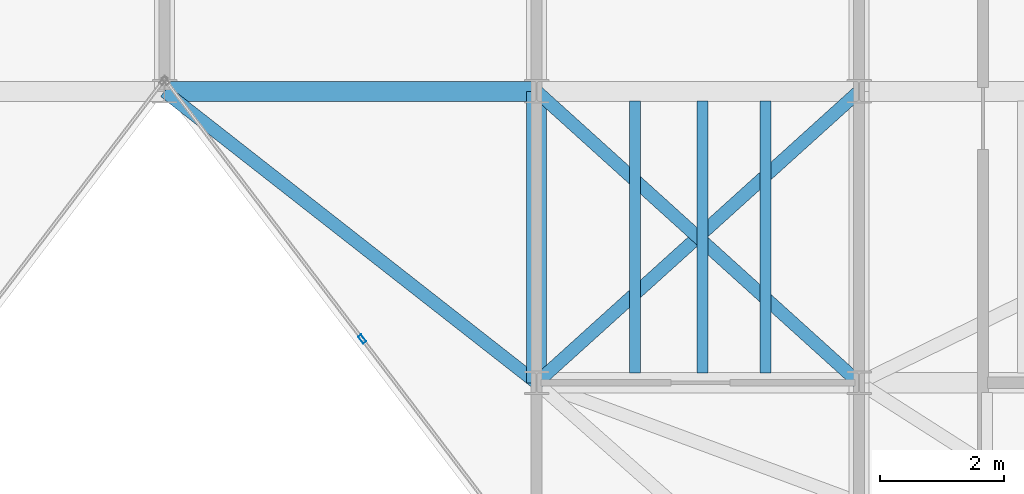
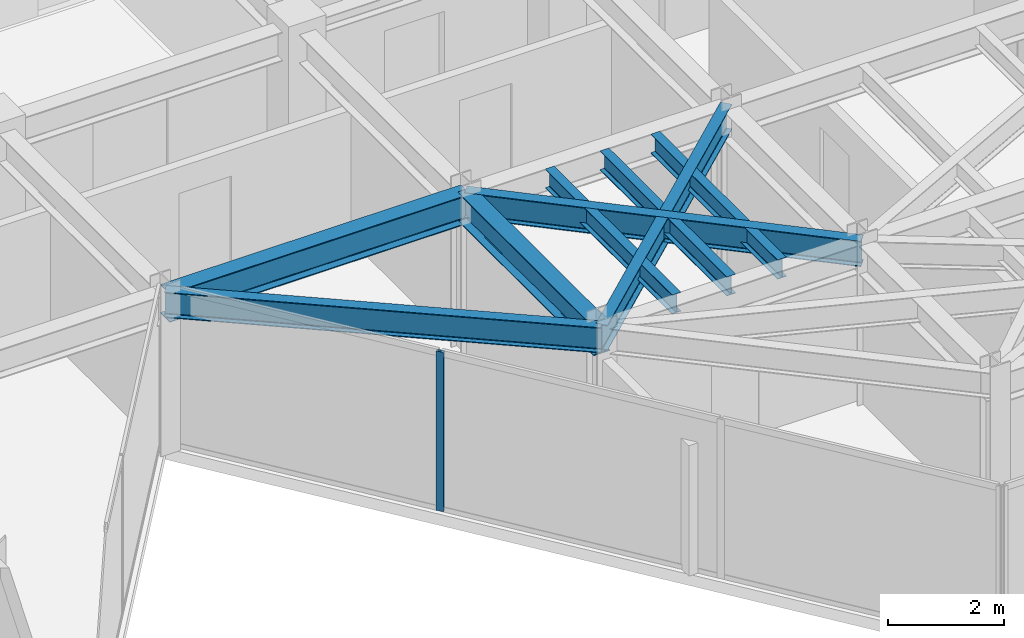
# One storey, part 8 of 17: 8 beams, 1 member, 1 element without a shape of its own.
"""IFC4 building model written with IfcOpenShell, lengths in metres."""

from ifc_helpers import new_model, si_unit, direction, frame, origin, origin_2d, place, context, subcontext, project, spatial, hollow_rectangle, i_section, extrude, material, layer, layer_set, material_profile, profile_set, type_object, element, aggregate, save


model = new_model("IFC4")

# Units and contexts
model_context = context("Model", 3, precision=1e-05, world=origin(), true_north=direction((0.0, 1.0)))
body_context = subcontext(model_context, "Body", "Model", "MODEL_VIEW")
ifc_project = project(units=[si_unit("LENGTHUNIT", "METRE"), si_unit("AREAUNIT", "SQUARE_METRE"), si_unit("VOLUMEUNIT", "CUBIC_METRE"), si_unit("PLANEANGLEUNIT", "RADIAN"), si_unit("MASSUNIT", "GRAM", prefix="KILO")], contexts=[model_context])

# Site, building, storey
site_placement = place(None, origin())
site = spatial("IfcSite", under=ifc_project, at=site_placement, CompositionType="ELEMENT")
building_placement = place(site_placement, origin())
building = spatial("IfcBuilding", under=site, at=building_placement, Name="Kravanh Interchange Tower", CompositionType="ELEMENT")
storey_placement = place(building_placement, frame((0.0, 0.0, 285.89990234375)))
storey = spatial("IfcBuildingStorey", under=building, at=storey_placement, Name="L70", CompositionType="ELEMENT", Elevation=285.89990234375)

# Curtain wall, member
ifc_material_1 = material(Name="Anodised Bronze Aluminium", Category="aluminium")
ifc_layer = layer(ifc_material_1, 0.179931640625)
ifc_layer_set = layer_set([ifc_layer], Name="Unitised Curtain Wall System CW-HTL Luxury Hotel")
curtain_wall_type = type_object("IfcCurtainWallType", Name="Unitised Curtain Wall System CW-HTL Luxury Hotel", PredefinedType="NOTDEFINED", material=ifc_layer_set)
curtain_wall_placement = place(storey_placement, origin())
curtain_wall = element("IfcCurtainWall", 1, at=curtain_wall_placement, inside=storey, type_object=curtain_wall_type, Name="L70 Unitised Curtain Wall CW-L70-04", PredefinedType="NOTDEFINED")
ifc_material_2 = material(Name="Anodised Bronze Aluminium", Category="aluminium")
ifc_material_profile_1 = material_profile(ifc_material_2, hollow_rectangle(XDim=0.06005859375, YDim=0.139892578125, WallThickness=0.00390625, at=origin_2d()), Name="ALU60X140X4")
ifc_profile_set_1 = profile_set([ifc_material_profile_1], Name="Anodised Bronze Aluminium")
member_type = type_object("IfcMemberType", Name="Curtain Wall Mullion ALU60X140X4 Bronze", PredefinedType="MULLION", material=ifc_profile_set_1)
member_placement = place(storey_placement, frame((47.986572265625, 27.505615234375, 0.0), z_axis=(0.0, 0.0, 1.0), x_axis=(-0.79616243806, -0.605082946564, 0.0)))
member = element("IfcMember", 2, at=member_placement, type_object=member_type, Name="CW-HTL mullion 3", PredefinedType="MULLION", context=body_context, shape_type="SweptSolid", body=[
    extrude(hollow_rectangle(XDim=0.06005859375, YDim=0.139892578125, WallThickness=0.00390625, at=origin_2d()), origin(), (0.0, 0.0, 1.0), 3.364990234375),
])
aggregate(curtain_wall, [member])

# Beams
ifc_material_3 = material(Name="Structural Steel S355", Category="steel")
ifc_material_profile_2 = material_profile(ifc_material_3, i_section(OverallWidth=0.323974609375, OverallDepth=0.611083984375, WebThickness=0.0126953125, FlangeThickness=0.01904296875, FilletRadius=0.02197265625, at=origin_2d()), Name="W24X104")
ifc_profile_set_2 = profile_set([ifc_material_profile_2], Name="Structural Steel S355")
beam_type_1 = type_object("IfcBeamType", Name="Floor Beam W24X104 Structural Steel S355", PredefinedType="BEAM", material=ifc_profile_set_2)
beam_1_placement = place(storey_placement, frame((44.800048828125, 31.5, 3.0595703125), z_axis=(1.0, 0.0, 0.0), x_axis=(0.0, 1.0, 0.0)))
element("IfcBeam", 3, at=beam_1_placement, inside=storey, type_object=beam_type_1, Name="L70 Primary Floor Girder 2", PredefinedType="BEAM", context=body_context, shape_type="SweptSolid", body=[
    extrude(i_section(OverallWidth=0.323974609375, OverallDepth=0.611083984375, WebThickness=0.0126953125, FlangeThickness=0.01904296875, FilletRadius=0.02197265625, at=origin_2d()), origin(), (0.0, 0.0, 1.0), 6.0),
])
beam_2_placement = place(storey_placement, frame((50.800048828125, 31.5, 3.0595703125), z_axis=(0.0, -1.0, 0.0), x_axis=(1.0, 0.0, 0.0)))
element("IfcBeam", 4, at=beam_2_placement, inside=storey, type_object=beam_type_1, Name="L70 Primary Floor Girder 5", PredefinedType="BEAM", context=body_context, shape_type="SweptSolid", body=[
    extrude(i_section(OverallWidth=0.323974609375, OverallDepth=0.611083984375, WebThickness=0.0126953125, FlangeThickness=0.01904296875, FilletRadius=0.02197265625, at=origin_2d()), origin(), (0.0, 0.0, 1.0), 4.699951171875),
])
ifc_material_4 = material(Name="Structural Steel S355", Category="steel")
ifc_material_profile_3 = material_profile(ifc_material_4, i_section(OverallWidth=0.177978515625, OverallDepth=0.406005859375, WebThickness=0.0078125, FlangeThickness=0.0126953125, FilletRadius=0.01611328125, at=origin_2d()), Name="W16X40")
ifc_profile_set_3 = profile_set([ifc_material_profile_3], Name="Structural Steel S355")
beam_type_2 = type_object("IfcBeamType", Name="Floor Joist W16X40 Structural Steel S355", PredefinedType="JOIST", material=ifc_profile_set_3)
for number, where, z_axis, x_axis, name in (
    (5, (52.385986328125, 26.95703125, 3.162109375), (0.0, 1.0, 0.0), (-1.0, 0.0, 0.0), "L70 Secondary Floor Joist 7"),
    (6, (53.47802734375, 26.95703125, 3.162109375), (0.0, 1.0, 0.0), (-1.0, 0.0, 0.0), "L70 Secondary Floor Joist 8"),
    (7, (54.491943359375, 26.95703125, 3.162109375), (0.0, 1.0, 0.0), (-1.0, 0.0, 0.0), "L70 Secondary Floor Joist 9"),
):
    element("IfcBeam", number, at=place(storey_placement, frame(where, z_axis=z_axis, x_axis=x_axis)), inside=storey, type_object=beam_type_2, Name=name, PredefinedType="JOIST", context=body_context, shape_type="SweptSolid", body=[
        extrude(i_section(OverallWidth=0.177978515625, OverallDepth=0.406005859375, WebThickness=0.0078125, FlangeThickness=0.0126953125, FilletRadius=0.01611328125, at=origin_2d()), origin(), (0.0, 0.0, 1.0), 4.385986328125),
    ])
ifc_material_5 = material(Name="Structural Steel S355", Category="steel")
ifc_material_profile_4 = material_profile(ifc_material_5, i_section(OverallWidth=0.2099609375, OverallDepth=0.537109375, WebThickness=0.010986328125, FlangeThickness=0.017333984375, FilletRadius=0.02001953125, at=origin_2d()), Name="W21X68")
ifc_profile_set_4 = profile_set([ifc_material_profile_4], Name="Structural Steel S355")
beam_type_3 = type_object("IfcBeamType", Name="Floor Spandrel W21X68 Structural Steel S355", PredefinedType="SPANDREL", material=ifc_profile_set_4)
beam_3_placement = place(storey_placement, frame((44.800048828125, 31.5, 3.0966796875), z_axis=(0.787231163579, -0.616658004967, 0.0), x_axis=(0.616658004967, 0.787231163579, 0.0)))
element("IfcBeam", 8, at=beam_3_placement, inside=storey, type_object=beam_type_3, Name="L70 Perimeter Spandrel 4", PredefinedType="SPANDREL", context=body_context, shape_type="SweptSolid", body=[
    extrude(i_section(OverallWidth=0.2099609375, OverallDepth=0.537109375, WebThickness=0.010986328125, FlangeThickness=0.017333984375, FilletRadius=0.02001953125, at=origin_2d()), origin(), (0.0, 0.0, 1.0), 7.62158203125),
])
for number, where, z_axis, x_axis, name in (
    (9, (50.800048828125, 31.5, 3.0966796875), (0.741874009795, -0.670539300557, 0.0), (0.670539300557, 0.741874009795, 0.0), "L70 Perimeter Spandrel 8"),
    (10, (56.0, 31.5, 3.0966796875), (-0.741874009795, -0.670539300557, 0.0), (0.670539300557, -0.741874009795, 0.0), "L70 Perimeter Spandrel 11"),
):
    element("IfcBeam", number, at=place(storey_placement, frame(where, z_axis=z_axis, x_axis=x_axis)), inside=storey, type_object=beam_type_3, Name=name, PredefinedType="SPANDREL", context=body_context, shape_type="SweptSolid", body=[
        extrude(i_section(OverallWidth=0.2099609375, OverallDepth=0.537109375, WebThickness=0.010986328125, FlangeThickness=0.017333984375, FilletRadius=0.02001953125, at=origin_2d()), origin(), (0.0, 0.0, 1.0), 7.00927734375),
    ])

save(model, "model.ifc")
